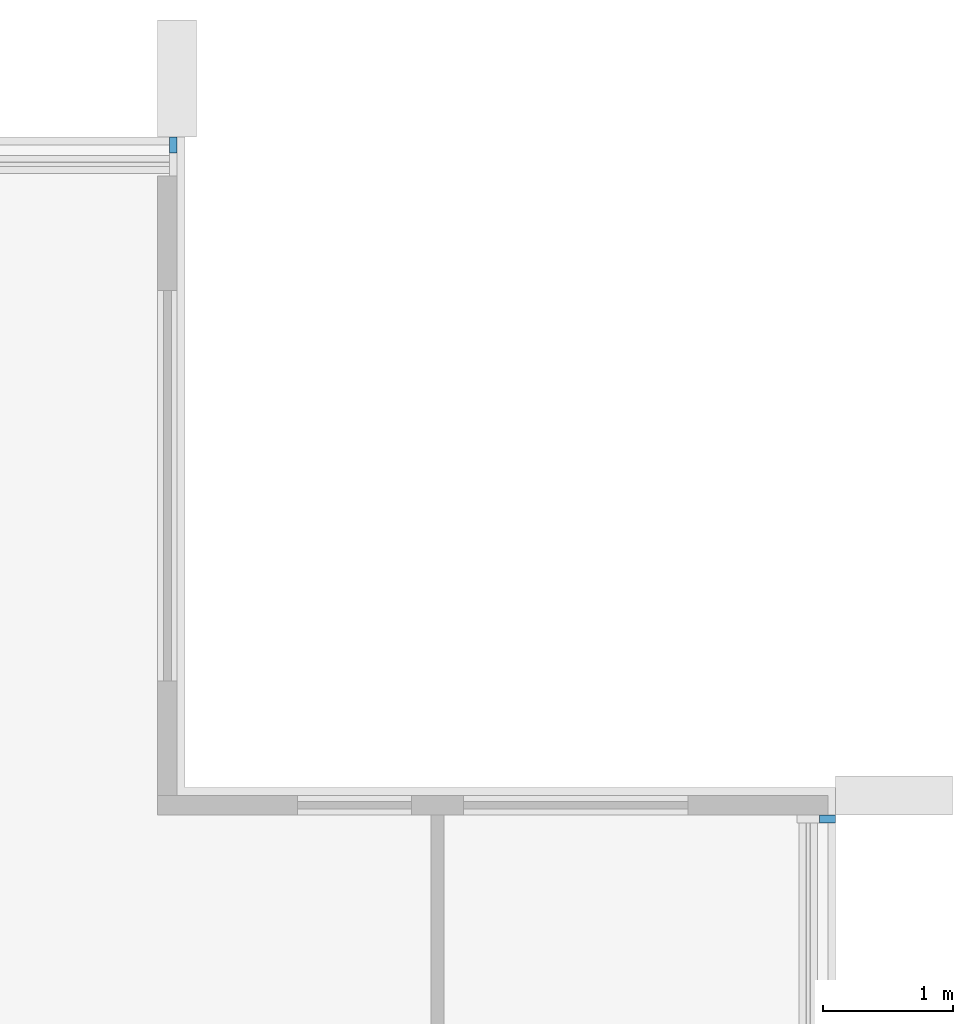
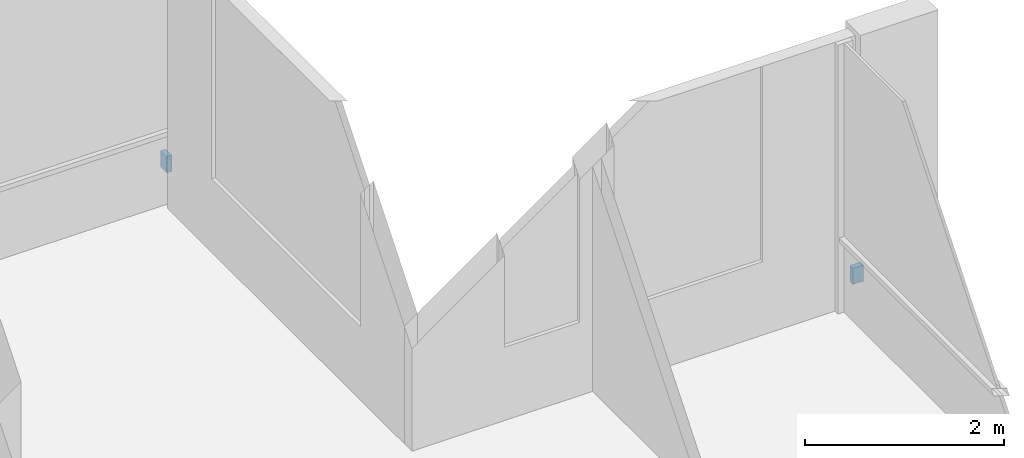
# One storey, part 14 of 15: 2 discrete accessories.
"""IFC4 building model written with IfcOpenShell, lengths in metres."""

from ifc_helpers import new_model, si_unit, direction, frame, origin, origin_2d, place, context, subcontext, project, spatial, rectangle, extrude, material, type_object, element, save


model = new_model("IFC4")

# Units and contexts
model_context = context("Model", 3, precision=1e-05, world=origin(), true_north=direction((0.0, 1.0)))
body_context = subcontext(model_context, "Body", "Model", "MODEL_VIEW")
ifc_project = project(units=[si_unit("LENGTHUNIT", "METRE"), si_unit("AREAUNIT", "SQUARE_METRE"), si_unit("VOLUMEUNIT", "CUBIC_METRE"), si_unit("PLANEANGLEUNIT", "RADIAN"), si_unit("MASSUNIT", "GRAM", prefix="KILO")], contexts=[model_context])

# Site, building, storey
site_placement = place(None, origin())
site = spatial("IfcSite", under=ifc_project, at=site_placement, CompositionType="ELEMENT")
building_placement = place(site_placement, origin())
building = spatial("IfcBuilding", under=site, at=building_placement, Name="Finial Court Residences", CompositionType="ELEMENT")
storey_placement = place(building_placement, frame((0.0, 0.0, 269.89990234375)))
storey = spatial("IfcBuildingStorey", under=building, at=storey_placement, Name="L68", CompositionType="ELEMENT", Elevation=269.89990234375)

# Discrete accessories
ifc_material = material(Name="Stainless steel 316", Category="steel")
discrete_accessory_type = type_object("IfcDiscreteAccessoryType", Name="Fin bracket, stainless steel 60 x 122 x 200", PredefinedType="BRACKET", material=ifc_material)
discrete_accessory_1_placement = place(storey_placement, frame((14.469970703125, 16.498779296875, 0.30029296875), z_axis=(0.0, 0.0, 1.0), x_axis=(1.0, 0.0, 0.0)))
element("IfcDiscreteAccessory", 1, at=discrete_accessory_1_placement, inside=storey, type_object=discrete_accessory_type, Name="E-L68-FIN-N6-BRK", PredefinedType="BRACKET", context=body_context, shape_type="SweptSolid", body=[
    extrude(rectangle(XDim=0.06005859375, YDim=0.12255859375, at=origin_2d()), origin(), (0.0, 0.0, 1.0), 0.199951171875),
])
discrete_accessory_2_placement = place(storey_placement, frame((19.498779296875, 11.320068359375, 0.30029296875), z_axis=(0.0, 0.0, 1.0), x_axis=(1.0, 0.0, 0.0)))
element("IfcDiscreteAccessory", 2, at=discrete_accessory_2_placement, inside=storey, type_object=discrete_accessory_type, Name="E-L68-FIN-E12-BRK", PredefinedType="BRACKET", context=body_context, shape_type="SweptSolid", body=[
    extrude(rectangle(XDim=0.12255859375, YDim=0.06005859375, at=origin_2d()), origin(), (0.0, 0.0, 1.0), 0.199951171875),
])

save(model, "model.ifc")
